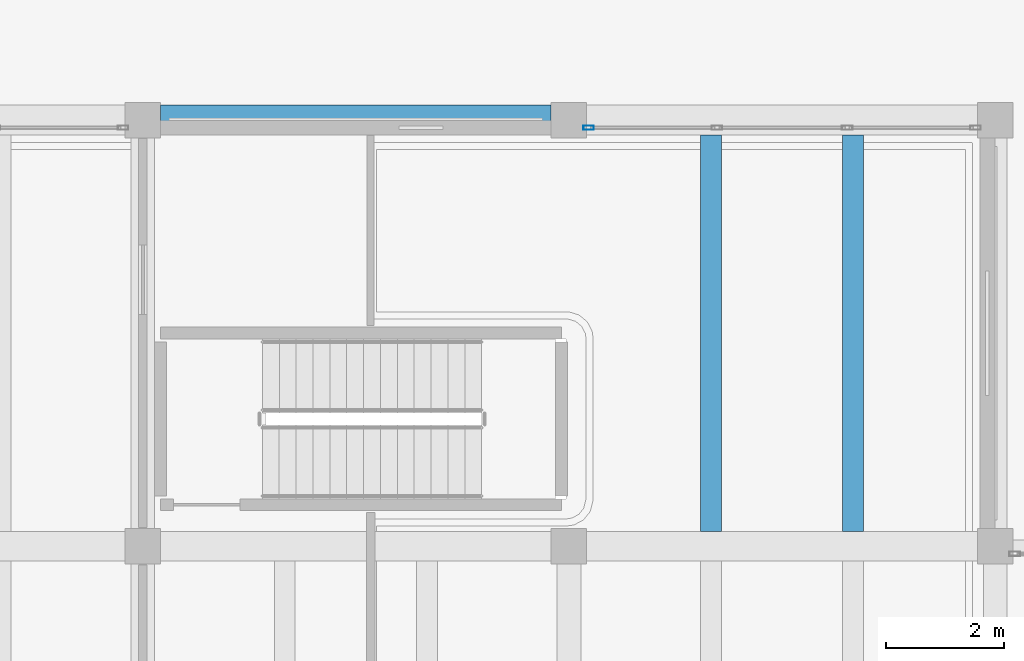
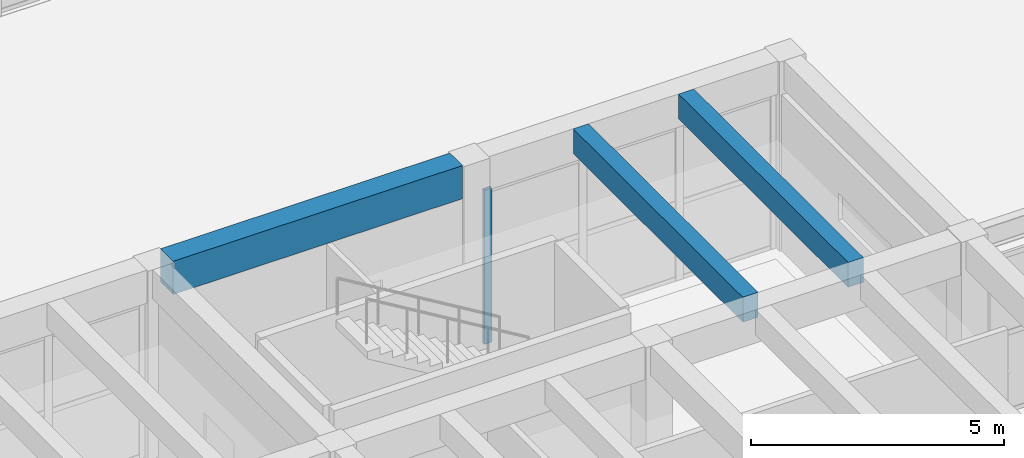
# One storey, part 25 of 155: 3 beams, 1 member, 1 element without a shape of its own.
"""IFC4 building model written with IfcOpenShell, lengths in metres."""

from ifc_helpers import new_model, si_unit, direction, frame, origin, origin_2d, place, context, subcontext, project, spatial, rectangle, hollow_rectangle, extrude, material, material_profile, profile_set, type_object, element, aggregate, save


model = new_model("IFC4")

# Units and contexts
model_context = context("Model", 3, precision=1e-05, world=origin(), true_north=direction((0.0, 1.0)))
body_context = subcontext(model_context, "Body", "Model", "MODEL_VIEW")
ifc_project = project(units=[si_unit("LENGTHUNIT", "METRE"), si_unit("AREAUNIT", "SQUARE_METRE"), si_unit("VOLUMEUNIT", "CUBIC_METRE"), si_unit("PLANEANGLEUNIT", "RADIAN"), si_unit("MASSUNIT", "GRAM", prefix="KILO")], contexts=[model_context])

# Site, building, storey
site_placement = place(None, origin())
site = spatial("IfcSite", under=ifc_project, at=site_placement, CompositionType="ELEMENT")
building_placement = place(site_placement, origin())
building = spatial("IfcBuilding", under=site, at=building_placement, Name="Bramvelor Terrace Health Centre", CompositionType="ELEMENT")
storey_placement = place(building_placement, origin())
storey = spatial("IfcBuildingStorey", under=building, at=storey_placement, Name="L01", CompositionType="ELEMENT", Elevation=0.0)

# Beams
ifc_material_1 = material(Name="Concrete C40/50", Category="concrete")
ifc_material_profile_1 = material_profile(ifc_material_1, rectangle(XDim=0.5, YDim=0.800048828125, at=origin_2d()), Name="RC 500x800")
ifc_profile_set_1 = profile_set([ifc_material_profile_1], Name="Concrete C40/50")
beam_type_1 = type_object("IfcBeamType", Name="BM-RC-G800", PredefinedType="BEAM", material=ifc_profile_set_1)
beam_placement = place(storey_placement, frame((14.699951171875, 64.800048828125, 4.159912109375), z_axis=(1.0, 0.0, 0.0), x_axis=(0.0, 1.0, 0.0)))
element("IfcBeam", 1, at=beam_placement, inside=storey, type_object=beam_type_1, Name="L01 Floor Girder", PredefinedType="BEAM", context=body_context, shape_type="SweptSolid", body=[
    extrude(rectangle(XDim=0.5, YDim=0.800048828125, at=origin_2d()), origin(), (0.0, 0.0, 1.0), 6.60009765625),
])
ifc_material_2 = material(Name="Concrete C40/50", Category="concrete")
ifc_material_profile_2 = material_profile(ifc_material_2, rectangle(XDim=0.35009765625, YDim=0.60009765625, at=origin_2d()), Name="RC 350x600")
ifc_profile_set_2 = profile_set([ifc_material_profile_2], Name="Concrete C40/50")
beam_type_2 = type_object("IfcBeamType", Name="BM-RC-J600", PredefinedType="JOIST", material=ifc_profile_set_2)
for number, where, z_axis, x_axis, name in (
    (2, (24.0, 57.85009765625, 4.260009765625), (0.0, 1.0, 0.0), (-1.0, 0.0, 0.0), "L01 Secondary Floor Joist"),
    (3, (26.39990234375, 57.85009765625, 4.260009765625), (0.0, 1.0, 0.0), (-1.0, 0.0, 0.0), "L01 Secondary Floor Joist"),
):
    element("IfcBeam", number, at=place(storey_placement, frame(where, z_axis=z_axis, x_axis=x_axis)), inside=storey, type_object=beam_type_2, Name=name, PredefinedType="JOIST", context=body_context, shape_type="SweptSolid", body=[
        extrude(rectangle(XDim=0.35009765625, YDim=0.60009765625, at=origin_2d()), origin(), (0.0, 0.0, 1.0), 6.699951171875),
    ])

# Curtain wall, member
ifc_material_3 = material(Name="Anodized aluminium and double low-E glass", Category="aluminium")
curtain_wall_type = type_object("IfcCurtainWallType", Name="CW-SYS-02", PredefinedType="NOTDEFINED", material=ifc_material_3)
curtain_wall_placement = place(storey_placement, origin())
curtain_wall = element("IfcCurtainWall", 4, at=curtain_wall_placement, inside=storey, type_object=curtain_wall_type, Name="L01 Unitized Curtain Wall 10", PredefinedType="NOTDEFINED")
ifc_material_4 = material(Name="Anodized aluminium 6063-T6", Category="aluminium")
ifc_material_profile_3 = material_profile(ifc_material_4, hollow_rectangle(XDim=0.074951171875, YDim=0.179931640625, WallThickness=0.00341796875, at=origin_2d()), Name="ALU-MUL 75x180x3.5")
ifc_profile_set_3 = profile_set([ifc_material_profile_3], Name="Anodized aluminium 6063-T6")
member_type = type_object("IfcMemberType", Name="CW-MUL-65x180", PredefinedType="MULLION", material=ifc_profile_set_3)
member_placement = place(storey_placement, frame((21.9326171875, 64.669921875, 0.0), z_axis=(0.0, 0.0, 1.0), x_axis=(0.0, 1.0, 0.0)))
member = element("IfcMember", 5, at=member_placement, type_object=member_type, Name="CW-02 mullion 1", PredefinedType="MULLION", context=body_context, shape_type="SweptSolid", body=[
    extrude(hollow_rectangle(XDim=0.074951171875, YDim=0.179931640625, WallThickness=0.00341796875, at=origin_2d()), origin(), (0.0, 0.0, 1.0), 3.719970703125),
])
aggregate(curtain_wall, [member])

save(model, "model.ifc")
